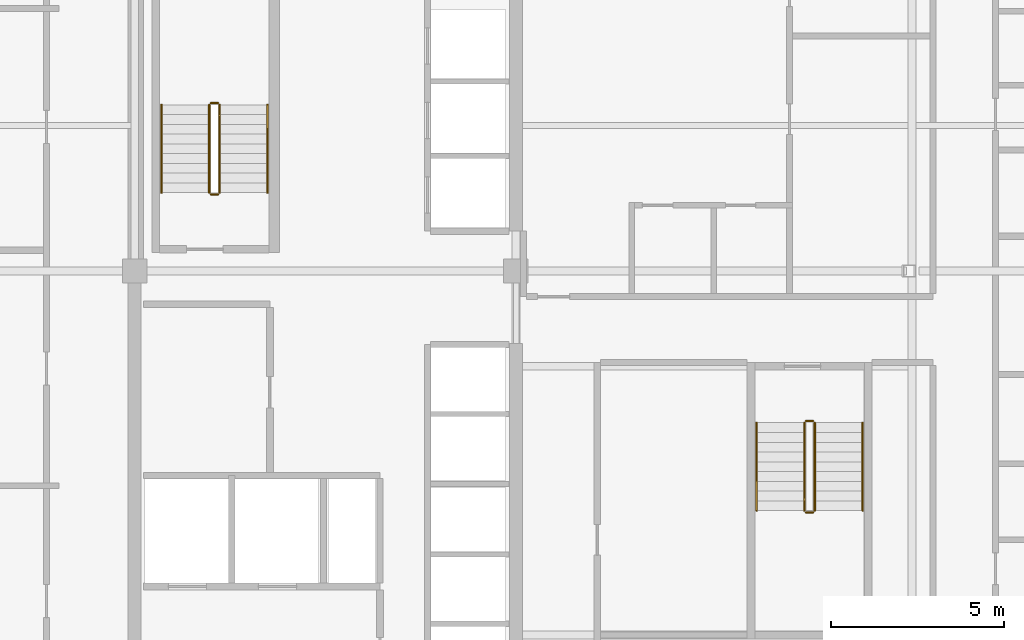
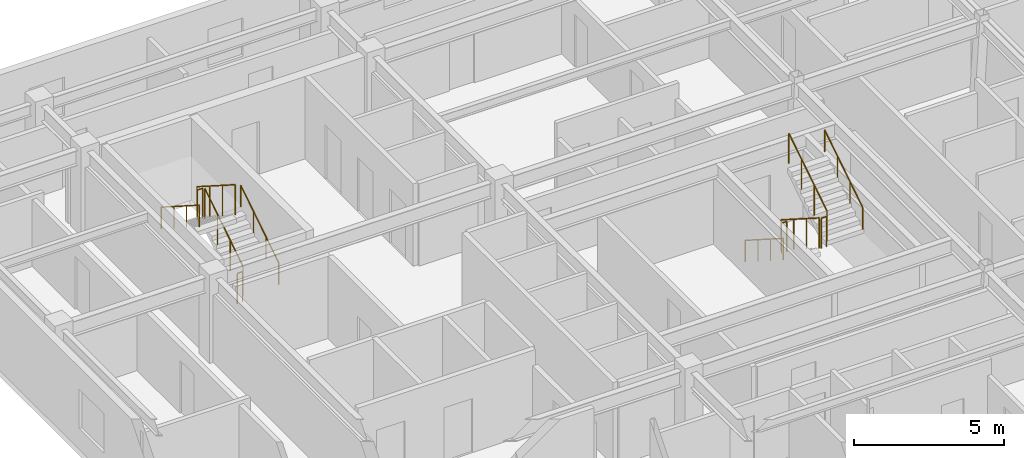
# One storey, part 10 of 11: 12 railings.
"""IFC4 building model written with IfcOpenShell, lengths in metres."""

from ifc_helpers import new_model, si_unit, direction, frame, origin, origin_2d, place, context, subcontext, project, spatial, circle, extrude, material, type_object, element, save


model = new_model("IFC4")

# Units and contexts
model_context = context("Model", 3, precision=1e-05, world=origin(), true_north=direction((0.0, 1.0)))
body_context = subcontext(model_context, "Body", "Model", "MODEL_VIEW")
ifc_project = project(units=[si_unit("LENGTHUNIT", "METRE"), si_unit("AREAUNIT", "SQUARE_METRE"), si_unit("VOLUMEUNIT", "CUBIC_METRE"), si_unit("PLANEANGLEUNIT", "RADIAN"), si_unit("MASSUNIT", "GRAM", prefix="KILO")], contexts=[model_context])

# Site, building, storey
site_placement = place(None, origin())
site = spatial("IfcSite", under=ifc_project, at=site_placement, CompositionType="ELEMENT")
building_placement = place(site_placement, origin())
building = spatial("IfcBuilding", under=site, at=building_placement, Name="Ochreholt Gables", CompositionType="ELEMENT")
storey_placement = place(building_placement, frame((0.0, 0.0, 188.39990234375)))
storey = spatial("IfcBuildingStorey", under=building, at=storey_placement, Name="L49", CompositionType="ELEMENT", Elevation=188.39990234375)

# Railings
ifc_material_1 = material(Name="Painted Steel Stair Guardrail", Category="steel")
railing_type_1 = type_object("IfcRailingType", Name="RL-ST-GUARD", PredefinedType="GUARDRAIL", material=ifc_material_1)
railing_1_placement = place(storey_placement, frame((26.64990234375, 32.4599609375, 0.18017578125)))
element("IfcRailing", 1, at=railing_1_placement, inside=storey, type_object=railing_type_1, Name="L49 ST-2 stair guard 1", PredefinedType="GUARDRAIL", context=body_context, shape_type="SweptSolid", body=[
    extrude(circle(Radius=0.02392578125, at=origin_2d()), frame((0.0, 0.0, 1.22607421875), z_axis=(0.0, 0.842949592929, 0.537992549931), x_axis=(-1.0, 0.0, 0.0)), (0.0, 0.0, 1.0), 3.010986328125),
    extrude(circle(Radius=0.02099609375, at=origin_2d()), origin(), (0.0, 0.0, 1.0), 1.201904296875),
    extrude(circle(Radius=0.02099609375, at=origin_2d()), frame((0.0, 0.845947265625, 0.5400390625)), (0.0, 0.0, 1.0), 1.201904296875),
    extrude(circle(Radius=0.02099609375, at=origin_2d()), frame((0.0, 1.692138671875, 1.079833984375)), (0.0, 0.0, 1.0), 1.201904296875),
    extrude(circle(Radius=0.02099609375, at=origin_2d()), frame((0.0, 2.5380859375, 1.619873046875)), (0.0, 0.0, 1.0), 1.201904296875),
])
railing_2_placement = place(storey_placement, frame((26.60009765625, 35.048095703125, 1.800048828125)))
element("IfcRailing", 2, at=railing_2_placement, inside=storey, type_object=railing_type_1, Name="L49 ST-2 stair guard 2", PredefinedType="GUARDRAIL", context=body_context, shape_type="SweptSolid", body=[
    extrude(circle(Radius=0.02392578125, at=origin_2d()), frame((0.0, 0.0, 1.22607421875), z_axis=(-1.0, 0.0, 0.0), x_axis=(0.0, -1.0, 0.0)), (0.0, 0.0, 1.0), 0.2001953125),
    extrude(circle(Radius=0.02099609375, at=origin_2d()), origin(), (0.0, 0.0, 1.0), 1.201904296875),
    extrude(circle(Radius=0.02099609375, at=origin_2d()), frame((-0.2001953125, 0.0, 0.0)), (0.0, 0.0, 1.0), 1.201904296875),
])
railing_3_placement = place(storey_placement, frame((26.35009765625, 34.998046875, 1.97998046875)))
element("IfcRailing", 3, at=railing_3_placement, inside=storey, type_object=railing_type_1, Name="L49 ST-2 stair guard 3", PredefinedType="GUARDRAIL", context=body_context, shape_type="SweptSolid", body=[
    extrude(circle(Radius=0.02392578125, at=origin_2d()), frame((0.0, 0.0, 1.22607421875), z_axis=(0.0, -0.842912820907, 0.538050161556), x_axis=(1.0, 0.0, 0.0)), (0.0, 0.0, 1.0), 3.010986328125),
    extrude(circle(Radius=0.02099609375, at=origin_2d()), origin(), (0.0, 0.0, 1.0), 1.201904296875),
    extrude(circle(Radius=0.02099609375, at=origin_2d()), frame((0.0, -0.845947265625, 0.5400390625)), (0.0, 0.0, 1.0), 1.201904296875),
    extrude(circle(Radius=0.02099609375, at=origin_2d()), frame((0.0, -1.692138671875, 1.080078125)), (0.0, 0.0, 1.0), 1.201904296875),
    extrude(circle(Radius=0.02099609375, at=origin_2d()), frame((0.0, -2.5380859375, 1.6201171875)), (0.0, 0.0, 1.0), 1.201904296875),
])
railing_4_placement = place(storey_placement, frame((26.60009765625, 32.409912109375, 0.0)))
element("IfcRailing", 4, at=railing_4_placement, inside=storey, type_object=railing_type_1, Name="L49 ST-2 stair guard 4", PredefinedType="GUARDRAIL", context=body_context, shape_type="SweptSolid", body=[
    extrude(circle(Radius=0.02392578125, at=origin_2d()), frame((0.0, 0.0, 1.22607421875), z_axis=(-1.0, 0.0, 0.0), x_axis=(0.0, -1.0, 0.0)), (0.0, 0.0, 1.0), 0.2001953125),
    extrude(circle(Radius=0.02099609375, at=origin_2d()), origin(), (0.0, 0.0, 1.0), 1.201904296875),
    extrude(circle(Radius=0.02099609375, at=origin_2d()), frame((-0.2001953125, 0.0, 0.0)), (0.0, 0.0, 1.0), 1.201904296875),
])
railing_5_placement = place(storey_placement, frame((43.530029296875, 25.820068359375, 0.18017578125)))
element("IfcRailing", 5, at=railing_5_placement, inside=storey, type_object=railing_type_1, Name="L49 ST-C5 stair guard 1", PredefinedType="GUARDRAIL", context=body_context, shape_type="SweptSolid", body=[
    extrude(circle(Radius=0.02392578125, at=origin_2d()), frame((0.0, 0.0, 1.22607421875), z_axis=(0.0, -0.842949592929, 0.537992549931), x_axis=(1.0, 0.0, 0.0)), (0.0, 0.0, 1.0), 3.010986328125),
    extrude(circle(Radius=0.02099609375, at=origin_2d()), origin(), (0.0, 0.0, 1.0), 1.201904296875),
    extrude(circle(Radius=0.02099609375, at=origin_2d()), frame((0.0, -0.845947265625, 0.5400390625)), (0.0, 0.0, 1.0), 1.201904296875),
    extrude(circle(Radius=0.02099609375, at=origin_2d()), frame((0.0, -1.692138671875, 1.079833984375)), (0.0, 0.0, 1.0), 1.201904296875),
    extrude(circle(Radius=0.02099609375, at=origin_2d()), frame((0.0, -2.5380859375, 1.619873046875)), (0.0, 0.0, 1.0), 1.201904296875),
])
railing_6_placement = place(storey_placement, frame((43.580078125, 23.23193359375, 1.800048828125)))
element("IfcRailing", 6, at=railing_6_placement, inside=storey, type_object=railing_type_1, Name="L49 ST-C5 stair guard 2", PredefinedType="GUARDRAIL", context=body_context, shape_type="SweptSolid", body=[
    extrude(circle(Radius=0.02392578125, at=origin_2d()), frame((0.0, 0.0, 1.22607421875), z_axis=(1.0, 0.0, 0.0), x_axis=(0.0, 1.0, 0.0)), (0.0, 0.0, 1.0), 0.199951171875),
    extrude(circle(Radius=0.02099609375, at=origin_2d()), origin(), (0.0, 0.0, 1.0), 1.201904296875),
    extrude(circle(Radius=0.02099609375, at=origin_2d()), frame((0.199951171875, 0.0, 0.0)), (0.0, 0.0, 1.0), 1.201904296875),
])
railing_7_placement = place(storey_placement, frame((43.830078125, 23.281982421875, 1.97998046875)))
element("IfcRailing", 7, at=railing_7_placement, inside=storey, type_object=railing_type_1, Name="L49 ST-C5 stair guard 3", PredefinedType="GUARDRAIL", context=body_context, shape_type="SweptSolid", body=[
    extrude(circle(Radius=0.02392578125, at=origin_2d()), frame((0.0, 0.0, 1.22607421875), z_axis=(0.0, 0.842912820907, 0.538050161556), x_axis=(-1.0, 0.0, 0.0)), (0.0, 0.0, 1.0), 3.010986328125),
    extrude(circle(Radius=0.02099609375, at=origin_2d()), origin(), (0.0, 0.0, 1.0), 1.201904296875),
    extrude(circle(Radius=0.02099609375, at=origin_2d()), frame((0.0, 0.845947265625, 0.5400390625)), (0.0, 0.0, 1.0), 1.201904296875),
    extrude(circle(Radius=0.02099609375, at=origin_2d()), frame((0.0, 1.692138671875, 1.080078125)), (0.0, 0.0, 1.0), 1.201904296875),
    extrude(circle(Radius=0.02099609375, at=origin_2d()), frame((0.0, 2.5380859375, 1.6201171875)), (0.0, 0.0, 1.0), 1.201904296875),
])
railing_8_placement = place(storey_placement, frame((43.580078125, 25.8701171875, 0.0)))
element("IfcRailing", 8, at=railing_8_placement, inside=storey, type_object=railing_type_1, Name="L49 ST-C5 stair guard 4", PredefinedType="GUARDRAIL", context=body_context, shape_type="SweptSolid", body=[
    extrude(circle(Radius=0.02392578125, at=origin_2d()), frame((0.0, 0.0, 1.22607421875), z_axis=(1.0, 0.0, 0.0), x_axis=(0.0, 1.0, 0.0)), (0.0, 0.0, 1.0), 0.199951171875),
    extrude(circle(Radius=0.02099609375, at=origin_2d()), origin(), (0.0, 0.0, 1.0), 1.201904296875),
    extrude(circle(Radius=0.02099609375, at=origin_2d()), frame((0.199951171875, 0.0, 0.0)), (0.0, 0.0, 1.0), 1.201904296875),
])
ifc_material_2 = material(Name="Brushed Stainless Steel Wall Handrail", Category="steel")
railing_type_2 = type_object("IfcRailingType", Name="RL-ST-HAND", PredefinedType="HANDRAIL", material=ifc_material_2)
railing_9_placement = place(storey_placement, frame((28.030029296875, 32.4599609375, 0.18017578125)))
element("IfcRailing", 9, at=railing_9_placement, inside=storey, type_object=railing_type_2, Name="L49 ST-2 stair handrail 1", PredefinedType="HANDRAIL", context=body_context, shape_type="SweptSolid", body=[
    extrude(circle(Radius=0.02392578125, at=origin_2d()), frame((0.0, 0.0, 0.8759765625), z_axis=(0.0, 0.842949592929, 0.537992549931), x_axis=(-1.0, 0.0, 0.0)), (0.0, 0.0, 1.0), 3.010986328125),
    extrude(circle(Radius=0.02099609375, at=origin_2d()), origin(), (0.0, 0.0, 1.0), 0.851806640625),
    extrude(circle(Radius=0.02099609375, at=origin_2d()), frame((0.0, 0.845947265625, 0.5400390625)), (0.0, 0.0, 1.0), 0.851806640625),
    extrude(circle(Radius=0.02099609375, at=origin_2d()), frame((0.0, 1.692138671875, 1.079833984375)), (0.0, 0.0, 1.0), 0.851806640625),
    extrude(circle(Radius=0.02099609375, at=origin_2d()), frame((0.0, 2.5380859375, 1.619873046875)), (0.0, 0.0, 1.0), 0.851806640625),
])
railing_10_placement = place(storey_placement, frame((24.969970703125, 34.998046875, 1.97998046875)))
element("IfcRailing", 10, at=railing_10_placement, inside=storey, type_object=railing_type_2, Name="L49 ST-2 stair handrail 2", PredefinedType="HANDRAIL", context=body_context, shape_type="SweptSolid", body=[
    extrude(circle(Radius=0.02392578125, at=origin_2d()), frame((0.0, 0.0, 0.8759765625), z_axis=(0.0, -0.842912820907, 0.538050161556), x_axis=(1.0, 0.0, 0.0)), (0.0, 0.0, 1.0), 3.010986328125),
    extrude(circle(Radius=0.02099609375, at=origin_2d()), origin(), (0.0, 0.0, 1.0), 0.851806640625),
    extrude(circle(Radius=0.02099609375, at=origin_2d()), frame((0.0, -0.845947265625, 0.5400390625)), (0.0, 0.0, 1.0), 0.851806640625),
    extrude(circle(Radius=0.02099609375, at=origin_2d()), frame((0.0, -1.692138671875, 1.080078125)), (0.0, 0.0, 1.0), 0.851806640625),
    extrude(circle(Radius=0.02099609375, at=origin_2d()), frame((0.0, -2.5380859375, 1.6201171875)), (0.0, 0.0, 1.0), 0.851806640625),
])
railing_11_placement = place(storey_placement, frame((42.14990234375, 25.820068359375, 0.18017578125)))
element("IfcRailing", 11, at=railing_11_placement, inside=storey, type_object=railing_type_2, Name="L49 ST-C5 stair handrail 1", PredefinedType="HANDRAIL", context=body_context, shape_type="SweptSolid", body=[
    extrude(circle(Radius=0.02392578125, at=origin_2d()), frame((0.0, 0.0, 0.8759765625), z_axis=(0.0, -0.842949592929, 0.537992549931), x_axis=(1.0, 0.0, 0.0)), (0.0, 0.0, 1.0), 3.010986328125),
    extrude(circle(Radius=0.02099609375, at=origin_2d()), origin(), (0.0, 0.0, 1.0), 0.851806640625),
    extrude(circle(Radius=0.02099609375, at=origin_2d()), frame((0.0, -0.845947265625, 0.5400390625)), (0.0, 0.0, 1.0), 0.851806640625),
    extrude(circle(Radius=0.02099609375, at=origin_2d()), frame((0.0, -1.692138671875, 1.079833984375)), (0.0, 0.0, 1.0), 0.851806640625),
    extrude(circle(Radius=0.02099609375, at=origin_2d()), frame((0.0, -2.5380859375, 1.619873046875)), (0.0, 0.0, 1.0), 0.851806640625),
])
railing_12_placement = place(storey_placement, frame((45.2099609375, 23.281982421875, 1.97998046875)))
element("IfcRailing", 12, at=railing_12_placement, inside=storey, type_object=railing_type_2, Name="L49 ST-C5 stair handrail 2", PredefinedType="HANDRAIL", context=body_context, shape_type="SweptSolid", body=[
    extrude(circle(Radius=0.02392578125, at=origin_2d()), frame((0.0, 0.0, 0.8759765625), z_axis=(0.0, 0.842912820907, 0.538050161556), x_axis=(-1.0, 0.0, 0.0)), (0.0, 0.0, 1.0), 3.010986328125),
    extrude(circle(Radius=0.02099609375, at=origin_2d()), origin(), (0.0, 0.0, 1.0), 0.851806640625),
    extrude(circle(Radius=0.02099609375, at=origin_2d()), frame((0.0, 0.845947265625, 0.5400390625)), (0.0, 0.0, 1.0), 0.851806640625),
    extrude(circle(Radius=0.02099609375, at=origin_2d()), frame((0.0, 1.692138671875, 1.080078125)), (0.0, 0.0, 1.0), 0.851806640625),
    extrude(circle(Radius=0.02099609375, at=origin_2d()), frame((0.0, 2.5380859375, 1.6201171875)), (0.0, 0.0, 1.0), 0.851806640625),
])

save(model, "model.ifc")
